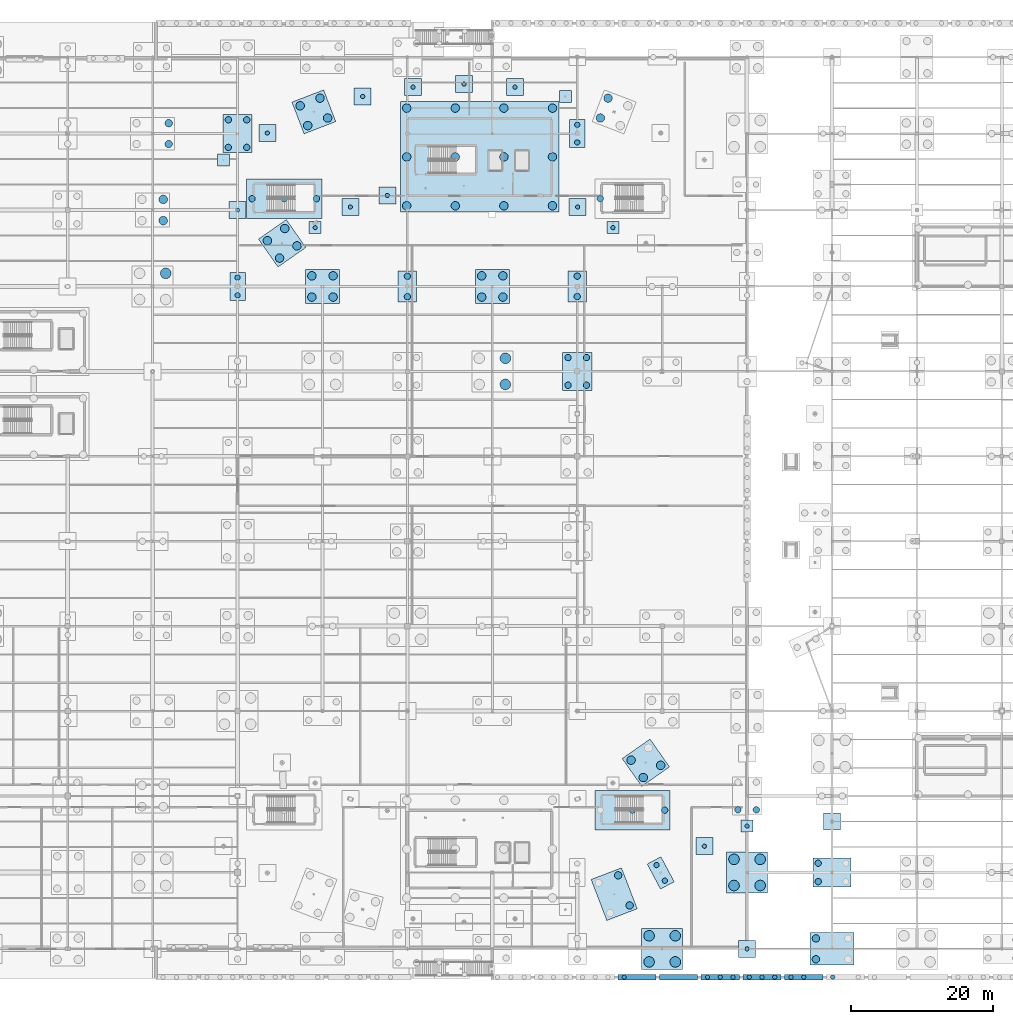
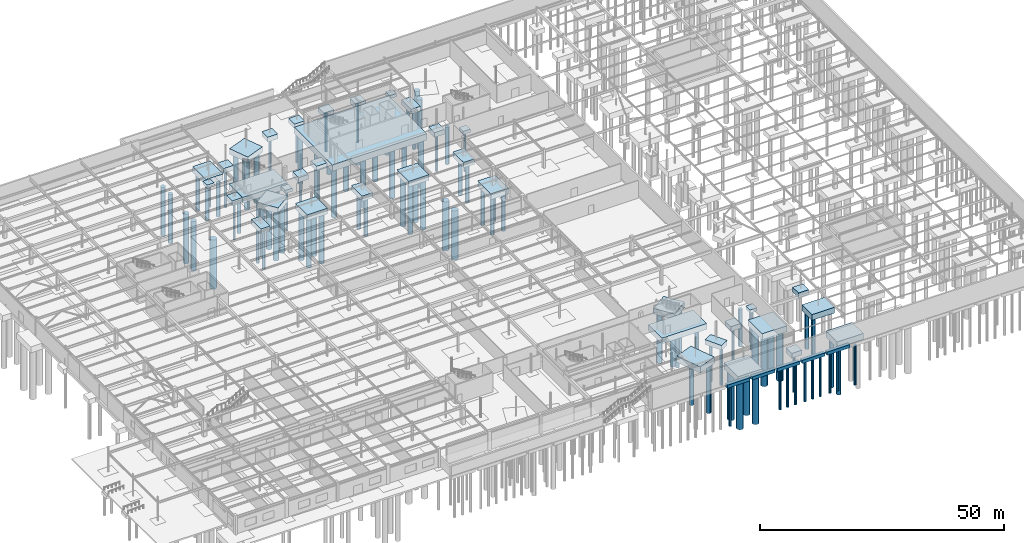
# One storey, part 5 of 136: 104 piles, 42 footings.
"""IFC4 building model written with IfcOpenShell, lengths in metres."""

from ifc_helpers import new_model, si_unit, direction, frame, origin, origin_2d, place, context, subcontext, project, spatial, rectangle, circle, extrude, material, material_profile, profile_set, type_object, element, save


model = new_model("IFC4")

# Units and contexts
model_context = context("Model", 3, precision=1e-05, world=origin(), true_north=direction((0.0, 1.0)))
body_context = subcontext(model_context, "Body", "Model", "MODEL_VIEW")
ifc_project = project(units=[si_unit("LENGTHUNIT", "METRE"), si_unit("AREAUNIT", "SQUARE_METRE"), si_unit("VOLUMEUNIT", "CUBIC_METRE"), si_unit("PLANEANGLEUNIT", "RADIAN"), si_unit("MASSUNIT", "GRAM", prefix="KILO")], contexts=[model_context])

# Site, building, storey
site_placement = place(None, origin())
site = spatial("IfcSite", under=ifc_project, at=site_placement, CompositionType="ELEMENT")
building_placement = place(site_placement, origin())
building = spatial("IfcBuilding", under=site, at=building_placement, Name="Tarnwether General Hospital", CompositionType="ELEMENT")
storey_placement = place(building_placement, frame((0.0, 0.0, -4.800048828125)))
storey = spatial("IfcBuildingStorey", under=building, at=storey_placement, Name="LG", CompositionType="ELEMENT", Elevation=-4.800048828125)

# Footings
ifc_material_1 = material(Name="Concrete 40 MPa", Category="concrete")
footing_type_1 = type_object("IfcFootingType", Name="FT-PC1", PredefinedType="PILE_CAP", material=ifc_material_1)
for number, where, z_axis, x_axis, name in (
    (1, (60.0, 104.39990234375, -1.19970703125), (0.0, 0.0, 1.0), (0.0, 1.0, 0.0), "Pile Cap FT-CAP-0076"),
    (2, (132.0, 0.0, -1.19970703125), (0.0, 0.0, 1.0), (0.0, 1.0, 0.0), "Pile Cap FT-CAP-0119"),
    (3, (64.20703125, 115.27001953125, -1.19970703125), (0.0, 0.0, 1.0), (1.0, 0.0, 0.0), "Pile Cap FT-CAP-0189"),
    (4, (75.945068359375, 104.823974609375, -1.19970703125), (0.0, 0.0, 1.0), (1.0, 0.0, 0.0), "Pile Cap FT-CAP-0193"),
    (5, (77.677978515625, 120.44189453125, -1.19970703125), (0.0, 0.0, 1.0), (1.0, 0.0, 0.0), "Pile Cap FT-CAP-0195"),
    (6, (81.162109375, 106.468994140625, -1.19970703125), (0.0, 0.0, 1.0), (1.0, 0.0, 0.0), "Pile Cap FT-CAP-0196"),
    (7, (84.784912109375, 121.759033203125, -1.19970703125), (0.0, 0.0, 1.0), (1.0, 0.0, 0.0), "Pile Cap FT-CAP-0197"),
    (8, (92.0, 122.199951171875, -1.19970703125), (0.0, 0.0, 1.0), (1.0, 0.0, 0.0), "Pile Cap FT-CAP-0198"),
    (9, (99.215087890625, 121.759033203125, -1.19970703125), (0.0, 0.0, 1.0), (1.0, 0.0, 0.0), "Pile Cap FT-CAP-0199"),
    (10, (108.054931640625, 104.823974609375, -1.19970703125), (0.0, 0.0, 1.0), (1.0, 0.0, 0.0), "Pile Cap FT-CAP-0202"),
    (11, (125.9560546875, 14.506103515625, -1.19970703125), (0.0, 0.0, 1.0), (1.0, 0.0, 0.0), "Pile Cap FT-CAP-0225"),
    (12, (144.0, 18.0, -1.19970703125), (0.0, 0.0, 1.0), (1.0, 0.0, 0.0), "Pile Cap FT-CAP-0232"),
):
    element("IfcFooting", number, at=place(storey_placement, frame(where, z_axis=z_axis, x_axis=x_axis)), inside=storey, type_object=footing_type_1, Name=name, PredefinedType="PILE_CAP", context=body_context, shape_type="SweptSolid", body=[
        extrude(rectangle(XDim=2.39990234375, YDim=2.39990234375, at=origin_2d()), origin(), (0.0, 0.0, 1.0), 1.199951171875),
    ])
ifc_material_2 = material(Name="Concrete 40 MPa", Category="concrete")
footing_type_2 = type_object("IfcFootingType", Name="FT-PC2", PredefinedType="PILE_CAP", material=ifc_material_2)
for number, where, z_axis, x_axis, name in (
    (13, (60.0, 93.60009765625, -1.19970703125), (0.0, 0.0, 1.0), (0.0, 1.0, 0.0), "Pile Cap FT-CAP-0075"),
    (14, (108.0, 115.199951171875, -1.19970703125), (0.0, 0.0, 1.0), (0.0, 1.0, 0.0), "Pile Cap FT-CAP-0111"),
    (15, (119.79296875, 10.72998046875, -1.19970703125), (0.0, 0.0, 1.0), (-0.469471562786, 0.882947592859, 0.0), "Pile Cap FT-CAP-0223"),
):
    element("IfcFooting", number, at=place(storey_placement, frame(where, z_axis=z_axis, x_axis=x_axis)), inside=storey, type_object=footing_type_2, Name=name, PredefinedType="PILE_CAP", context=body_context, shape_type="SweptSolid", body=[
        extrude(rectangle(XDim=4.0, YDim=2.199951171875, at=origin_2d()), origin(), (0.0, 0.0, 1.0), 1.199951171875),
    ])
ifc_material_3 = material(Name="Concrete 40 MPa", Category="concrete")
footing_type_3 = type_object("IfcFootingType", Name="FT-PC3", PredefinedType="PILE_CAP", material=ifc_material_3)
for number, where, z_axis, x_axis, name in (
    (16, (84.0, 93.60009765625, -1.2998046875), (0.0, 0.0, 1.0), (0.0, 1.0, 0.0), "Pile Cap FT-CAP-0093"),
    (17, (108.0, 93.60009765625, -1.2998046875), (0.0, 0.0, 1.0), (0.0, 1.0, 0.0), "Pile Cap FT-CAP-0110"),
):
    element("IfcFooting", number, at=place(storey_placement, frame(where, z_axis=z_axis, x_axis=x_axis)), inside=storey, type_object=footing_type_3, Name=name, PredefinedType="PILE_CAP", context=body_context, shape_type="SweptSolid", body=[
        extrude(rectangle(XDim=4.39990234375, YDim=2.60009765625, at=origin_2d()), origin(), (0.0, 0.0, 1.0), 1.300048828125),
    ])
ifc_material_4 = material(Name="Concrete 40 MPa", Category="concrete")
footing_type_4 = type_object("IfcFootingType", Name="FT-PC4", PredefinedType="PILE_CAP", material=ifc_material_4)
for number, where, z_axis, x_axis, name in (
    (18, (72.0, 93.60009765625, -1.39990234375), (0.0, 0.0, 1.0), (1.0, 0.0, 0.0), "Pile Cap FT-CAP-0085"),
    (19, (96.0, 93.60009765625, -1.39990234375), (0.0, 0.0, 1.0), (1.0, 0.0, 0.0), "Pile Cap FT-CAP-0101"),
    (20, (66.303955078125, 99.697998046875, -1.39990234375), (0.0, 0.0, 1.0), (-0.573576436351, 0.819152044289, 0.0), "Pile Cap FT-CAP-0188"),
    (21, (70.784912109375, 118.26806640625, -1.39990234375), (0.0, 0.0, 1.0), (-0.358367949545, 0.933580426497, 0.0), "Pile Cap FT-CAP-0191"),
    (22, (117.696044921875, 26.302001953125, -1.39990234375), (0.0, 0.0, 1.0), (-0.573576436351, 0.819152044289, 0.0), "Pile Cap FT-CAP-0226"),
):
    element("IfcFooting", number, at=place(storey_placement, frame(where, z_axis=z_axis, x_axis=x_axis)), inside=storey, type_object=footing_type_4, Name=name, PredefinedType="PILE_CAP", context=body_context, shape_type="SweptSolid", body=[
        extrude(rectangle(XDim=4.800048828125, YDim=4.800048828125, at=origin_2d()), origin(), (0.0, 0.0, 1.0), 1.39990234375),
    ])
ifc_material_5 = material(Name="Concrete 40 MPa", Category="concrete")
footing_type_5 = type_object("IfcFootingType", Name="FT-PC5", PredefinedType="PILE_CAP", material=ifc_material_5)
for number, where, z_axis, x_axis, name in (
    (23, (120.0, 0.0, -1.5), (0.0, 0.0, 1.0), (1.0, 0.0, 0.0), "Pile Cap FT-CAP-0113"),
    (24, (132.0, 10.800048828125, -1.5), (0.0, 0.0, 1.0), (0.0, 1.0, 0.0), "Pile Cap FT-CAP-0120"),
):
    element("IfcFooting", number, at=place(storey_placement, frame(where, z_axis=z_axis, x_axis=x_axis)), inside=storey, type_object=footing_type_5, Name=name, PredefinedType="PILE_CAP", context=body_context, shape_type="SweptSolid", body=[
        extrude(rectangle(XDim=5.800048828125, YDim=5.800048828125, at=origin_2d()), origin(), (0.0, 0.0, 1.0), 1.5),
    ])
ifc_material_6 = material(Name="Concrete 40 MPa", Category="concrete")
footing_type_6 = type_object("IfcFootingType", Name="FT-PC6", PredefinedType="PILE_CAP", material=ifc_material_6)
for number, where, z_axis, x_axis, name in (
    (25, (60.0, 115.199951171875, -1.44970703125), (0.0, 0.0, 1.0), (0.0, 1.0, 0.0), "Pile Cap FT-CAP-0077"),
    (26, (108.0, 81.60009765625, -1.44970703125), (0.0, 0.0, 1.0), (0.0, 1.0, 0.0), "Pile Cap FT-CAP-0109"),
    (27, (144.0, 10.800048828125, -1.44970703125), (0.0, 0.0, 1.0), (1.0, 0.0, 0.0), "Pile Cap FT-CAP-0130"),
):
    element("IfcFooting", number, at=place(storey_placement, frame(where, z_axis=z_axis, x_axis=x_axis)), inside=storey, type_object=footing_type_6, Name=name, PredefinedType="PILE_CAP", context=body_context, shape_type="SweptSolid", body=[
        extrude(rectangle(XDim=5.39990234375, YDim=4.10009765625, at=origin_2d()), origin(), (0.0, 0.0, 1.0), 1.449951171875),
    ])
ifc_material_7 = material(Name="Concrete 40 MPa", Category="concrete")
footing_type_7 = type_object("IfcFootingType", Name="FT-PC7", PredefinedType="PILE_CAP", material=ifc_material_7)
for number, where, z_axis, x_axis, name in (
    (28, (144.0, 0.0, -1.5498046875), (0.0, 0.0, 1.0), (1.0, 0.0, 0.0), "Pile Cap FT-CAP-0129"),
    (29, (113.215087890625, 7.73193359375, -1.5498046875), (0.0, 0.0, 1.0), (-0.358367949545, 0.933580426497, 0.0), "Pile Cap FT-CAP-0221"),
):
    element("IfcFooting", number, at=place(storey_placement, frame(where, z_axis=z_axis, x_axis=x_axis)), inside=storey, type_object=footing_type_7, Name=name, PredefinedType="PILE_CAP", context=body_context, shape_type="SweptSolid", body=[
        extrude(rectangle(XDim=6.199951171875, YDim=4.60009765625, at=origin_2d()), origin(), (0.0, 0.0, 1.0), 1.550048828125),
    ])
ifc_material_8 = material(Name="Concrete 40 MPa", Category="concrete")
footing_type_8 = type_object("IfcFootingType", Name="FT-PC8", PredefinedType="PILE_CAP", material=ifc_material_8)
for number, where, z_axis, x_axis, name in (
    (30, (66.60009765625, 106.0, -1.44970703125), (0.0, 0.0, 1.0), (1.0, 0.0, 0.0), "Pile Cap FT-CAP-0007"),
    (31, (115.800048828125, 19.60009765625, -1.44970703125), (0.0, 0.0, 1.0), (1.0, 0.0, 0.0), "Pile Cap FT-CAP-0010"),
):
    element("IfcFooting", number, at=place(storey_placement, frame(where, z_axis=z_axis, x_axis=x_axis)), inside=storey, type_object=footing_type_8, Name=name, PredefinedType="PILE_CAP", context=body_context, shape_type="SweptSolid", body=[
        extrude(rectangle(XDim=10.60009765625, YDim=5.60009765625, at=origin_2d()), origin(), (0.0, 0.0, 1.0), 1.449951171875),
    ])
ifc_material_9 = material(Name="Concrete 40 MPa", Category="concrete")
footing_type_9 = type_object("IfcFootingType", Name="FT-PC9", PredefinedType="PILE_CAP", material=ifc_material_9)
footing_placement = place(storey_placement, frame((94.199951171875, 111.89990234375, -1.60009765625), z_axis=(0.0, 0.0, 1.0), x_axis=(1.0, 0.0, 0.0)))
element("IfcFooting", 32, at=footing_placement, inside=storey, type_object=footing_type_9, Name="Pile Cap FT-CAP-0001", PredefinedType="PILE_CAP", context=body_context, shape_type="SweptSolid", body=[
    extrude(rectangle(XDim=22.39990234375, YDim=15.60009765625, at=origin_2d()), origin(), (0.0, 0.0, 1.0), 1.60009765625),
])
ifc_material_10 = material(Name="Concrete 40 MPa", Category="concrete")
footing_type_10 = type_object("IfcFootingType", Name="FT-PF5", PredefinedType="PAD_FOOTING", material=ifc_material_10)
for number, where, z_axis, x_axis, name in (
    (33, (58.0439453125, 111.493896484375, -0.7998046875), (0.0, 0.0, 1.0), (1.0, 0.0, 0.0), "Column Bearing Pad FT-PAD-0187"),
    (34, (70.968017578125, 101.906005859375, -0.7998046875), (0.0, 0.0, 1.0), (1.0, 0.0, 0.0), "Column Bearing Pad FT-PAD-0190"),
    (35, (106.322021484375, 120.44189453125, -0.7998046875), (0.0, 0.0, 1.0), (1.0, 0.0, 0.0), "Column Bearing Pad FT-PAD-0200"),
    (36, (113.031982421875, 101.906005859375, -0.7998046875), (0.0, 0.0, 1.0), (1.0, 0.0, 0.0), "Column Bearing Pad FT-PAD-0205"),
    (37, (132.0, 17.35009765625, -0.7998046875), (0.0, 0.0, 1.0), (1.0, 0.0, 0.0), "Column Bearing Pad FT-PAD-0227"),
):
    element("IfcFooting", number, at=place(storey_placement, frame(where, z_axis=z_axis, x_axis=x_axis)), inside=storey, type_object=footing_type_10, Name=name, PredefinedType="PAD_FOOTING", context=body_context, shape_type="SweptSolid", body=[
        extrude(rectangle(XDim=1.699951171875, YDim=1.699951171875, at=origin_2d()), origin(), (0.0, 0.0, 1.0), 0.800048828125),
    ])
ifc_material_11 = material(Name="Concrete 40 MPa", Category="concrete")
footing_type_11 = type_object("IfcFootingType", Name="FT-SF1", PredefinedType="STRIP_FOOTING", material=ifc_material_11)
for number, where, z_axis, x_axis, name in (
    (38, (116.428955078125, -4.0, -0.7998046875), (0.0, 0.0, 1.0), (1.0, 0.0, 0.0), "Retaining Strip Footing FT-SF-0101"),
    (39, (122.323974609375, -4.0, -0.7998046875), (0.0, 0.0, 1.0), (1.0, 0.0, 0.0), "Retaining Strip Footing FT-SF-0102"),
    (40, (128.218017578125, -4.0, -0.7998046875), (0.0, 0.0, 1.0), (1.0, 0.0, 0.0), "Retaining Strip Footing FT-SF-0103"),
    (41, (134.112060546875, -4.0, -0.7998046875), (0.0, 0.0, 1.0), (1.0, 0.0, 0.0), "Retaining Strip Footing FT-SF-0104"),
    (42, (140.006103515625, -4.0, -0.7998046875), (0.0, 0.0, 1.0), (1.0, 0.0, 0.0), "Retaining Strip Footing FT-SF-0105"),
):
    element("IfcFooting", number, at=place(storey_placement, frame(where, z_axis=z_axis, x_axis=x_axis)), inside=storey, type_object=footing_type_11, Name=name, PredefinedType="STRIP_FOOTING", context=body_context, shape_type="SweptSolid", body=[
        extrude(rectangle(XDim=5.39404296875, YDim=0.800048828125, at=origin_2d()), origin(), (0.0, 0.0, 1.0), 0.800048828125),
    ])

# Piles
ifc_material_12 = material(Name="Concrete 40 MPa", Category="concrete")
ifc_material_profile_1 = material_profile(ifc_material_12, circle(Radius=0.52490234375, at=origin_2d()), Name="PILE-D1050")
ifc_profile_set_1 = profile_set([ifc_material_profile_1], Name="Concrete 40 MPa")
pile_type_1 = type_object("IfcPileType", Name="PL-1050", PredefinedType="BORED", material=ifc_profile_set_1)
for number, where, z_axis, x_axis, name in (
    (43, (50.27490234375, 113.72509765625, -1.449951171875), (0.0, 0.0, -1.0), (1.0, 0.0, 0.0), "Bored Pile PLG-LG-503_1137-0220"),
    (44, (50.27490234375, 116.675048828125, -1.449951171875), (0.0, 0.0, -1.0), (1.0, 0.0, 0.0), "Bored Pile PLG-LG-503_1167-0221"),
    (45, (141.72509765625, -1.47509765625, -1.449951171875), (0.0, 0.0, -1.0), (1.0, 0.0, 0.0), "Bored Pile PLG-LG-1417_-15-0413"),
    (46, (141.72509765625, 1.47509765625, -1.449951171875), (0.0, 0.0, -1.0), (1.0, 0.0, 0.0), "Bored Pile PLG-LG-1417_15-0414"),
    (47, (115.406982421875, 6.136962890625, -1.449951171875), (0.0, 0.0, -1.0), (1.0, 0.0, 0.0), "Bored Pile PLG-LG-1154_61-0597"),
    (48, (113.777099609375, 10.384033203125, -1.449951171875), (0.0, 0.0, -1.0), (1.0, 0.0, 0.0), "Bored Pile PLG-LG-1138_104-0599"),
):
    element("IfcPile", number, at=place(storey_placement, frame(where, z_axis=z_axis, x_axis=x_axis)), inside=storey, type_object=pile_type_1, Name=name, PredefinedType="BORED", context=body_context, shape_type="SweptSolid", body=[
        extrude(circle(Radius=0.52490234375, at=origin_2d()), origin(), (0.0, 0.0, 1.0), 12.25),
    ])
ifc_material_13 = material(Name="Concrete 40 MPa", Category="concrete")
ifc_material_profile_2 = material_profile(ifc_material_13, circle(Radius=0.60009765625, at=origin_2d()), Name="PILE-D1200")
ifc_profile_set_2 = profile_set([ifc_material_profile_2], Name="Concrete 40 MPa")
pile_type_2 = type_object("IfcPileType", Name="PL-1200", PredefinedType="BORED", material=ifc_profile_set_2)
for number, where, z_axis, x_axis, name in (
    (49, (83.89990234375, 105.0, -1.5), (0.0, 0.0, -1.0), (1.0, 0.0, 0.0), "Bored Pile PLG-LG-839_1050-0001"),
    (50, (83.89990234375, 111.89990234375, -1.5), (0.0, 0.0, -1.0), (1.0, 0.0, 0.0), "Bored Pile PLG-LG-839_1119-0002"),
    (51, (83.89990234375, 118.800048828125, -1.5), (0.0, 0.0, -1.0), (1.0, 0.0, 0.0), "Bored Pile PLG-LG-839_1188-0003"),
    (52, (90.76708984375, 105.0, -1.5), (0.0, 0.0, -1.0), (1.0, 0.0, 0.0), "Bored Pile PLG-LG-908_1050-0004"),
    (53, (90.76708984375, 111.89990234375, -1.5), (0.0, 0.0, -1.0), (1.0, 0.0, 0.0), "Bored Pile PLG-LG-908_1119-0005"),
    (54, (90.76708984375, 118.800048828125, -1.5), (0.0, 0.0, -1.0), (1.0, 0.0, 0.0), "Bored Pile PLG-LG-908_1188-0006"),
    (55, (97.633056640625, 105.0, -1.5), (0.0, 0.0, -1.0), (1.0, 0.0, 0.0), "Bored Pile PLG-LG-976_1050-0007"),
    (56, (97.633056640625, 111.89990234375, -1.5), (0.0, 0.0, -1.0), (1.0, 0.0, 0.0), "Bored Pile PLG-LG-976_1119-0008"),
    (57, (97.633056640625, 118.800048828125, -1.5), (0.0, 0.0, -1.0), (1.0, 0.0, 0.0), "Bored Pile PLG-LG-976_1188-0009"),
    (58, (104.5, 105.0, -1.5), (0.0, 0.0, -1.0), (1.0, 0.0, 0.0), "Bored Pile PLG-LG-1045_1050-0010"),
    (59, (104.5, 111.89990234375, -1.5), (0.0, 0.0, -1.0), (1.0, 0.0, 0.0), "Bored Pile PLG-LG-1045_1119-0011"),
    (60, (104.5, 118.800048828125, -1.5), (0.0, 0.0, -1.0), (1.0, 0.0, 0.0), "Bored Pile PLG-LG-1045_1188-0012"),
):
    element("IfcPile", number, at=place(storey_placement, frame(where, z_axis=z_axis, x_axis=x_axis)), inside=storey, type_object=pile_type_2, Name=name, PredefinedType="BORED", context=body_context, shape_type="SweptSolid", body=[
        extrude(circle(Radius=0.60009765625, at=origin_2d()), origin(), (0.0, 0.0, 1.0), 12.199951171875),
    ])
for number, where, z_axis, x_axis, name in (
    (61, (49.5, 102.89990234375, -1.300048828125), (0.0, 0.0, -1.0), (1.0, 0.0, 0.0), "Bored Pile PLG-LG-495_1029-0216"),
    (62, (49.5, 105.89990234375, -1.300048828125), (0.0, 0.0, -1.0), (1.0, 0.0, 0.0), "Bored Pile PLG-LG-495_1059-0217"),
    (63, (70.5, 92.10009765625, -1.300048828125), (0.0, 0.0, -1.0), (1.0, 0.0, 0.0), "Bored Pile PLG-LG-705_921-0277"),
    (64, (70.5, 95.10009765625, -1.300048828125), (0.0, 0.0, -1.0), (1.0, 0.0, 0.0), "Bored Pile PLG-LG-705_951-0278"),
    (65, (73.5, 92.10009765625, -1.300048828125), (0.0, 0.0, -1.0), (1.0, 0.0, 0.0), "Bored Pile PLG-LG-735_921-0279"),
    (66, (73.5, 95.10009765625, -1.300048828125), (0.0, 0.0, -1.0), (1.0, 0.0, 0.0), "Bored Pile PLG-LG-735_951-0280"),
    (67, (94.5, 92.10009765625, -1.300048828125), (0.0, 0.0, -1.0), (1.0, 0.0, 0.0), "Bored Pile PLG-LG-945_921-0329"),
    (68, (94.5, 95.10009765625, -1.300048828125), (0.0, 0.0, -1.0), (1.0, 0.0, 0.0), "Bored Pile PLG-LG-945_951-0330"),
    (69, (97.5, 92.10009765625, -1.300048828125), (0.0, 0.0, -1.0), (1.0, 0.0, 0.0), "Bored Pile PLG-LG-975_921-0331"),
    (70, (97.5, 95.10009765625, -1.300048828125), (0.0, 0.0, -1.0), (1.0, 0.0, 0.0), "Bored Pile PLG-LG-975_951-0332"),
    (71, (68.39306640625, 99.330078125, -1.300048828125), (0.0, 0.0, -1.0), (1.0, 0.0, 0.0), "Bored Pile PLG-LG-684_993-0555"),
    (72, (65.93603515625, 97.60888671875, -1.300048828125), (0.0, 0.0, -1.0), (1.0, 0.0, 0.0), "Bored Pile PLG-LG-659_976-0556"),
    (73, (66.672119140625, 101.787109375, -1.300048828125), (0.0, 0.0, -1.0), (1.0, 0.0, 0.0), "Bored Pile PLG-LG-667_1018-0557"),
    (74, (64.215087890625, 100.06591796875, -1.300048828125), (0.0, 0.0, -1.0), (1.0, 0.0, 0.0), "Bored Pile PLG-LG-642_1001-0558"),
    (75, (72.722900390625, 117.405029296875, -1.300048828125), (0.0, 0.0, -1.0), (1.0, 0.0, 0.0), "Bored Pile PLG-LG-727_1174-0561"),
    (76, (69.922119140625, 116.330078125, -1.300048828125), (0.0, 0.0, -1.0), (1.0, 0.0, 0.0), "Bored Pile PLG-LG-699_1163-0562"),
    (77, (71.64794921875, 120.2060546875, -1.300048828125), (0.0, 0.0, -1.0), (1.0, 0.0, 0.0), "Bored Pile PLG-LG-716_1202-0563"),
    (78, (68.846923828125, 119.131103515625, -1.300048828125), (0.0, 0.0, -1.0), (1.0, 0.0, 0.0), "Bored Pile PLG-LG-688_1191-0564"),
    (79, (111.277099609375, 117.405029296875, -1.300048828125), (0.0, 0.0, -1.0), (1.0, 0.0, 0.0), "Bored Pile PLG-LG-1113_1174-0572"),
    (80, (112.35205078125, 120.2060546875, -1.300048828125), (0.0, 0.0, -1.0), (1.0, 0.0, 0.0), "Bored Pile PLG-LG-1124_1202-0574"),
    (81, (119.784912109375, 25.93408203125, -1.300048828125), (0.0, 0.0, -1.0), (1.0, 0.0, 0.0), "Bored Pile PLG-LG-1198_259-0606"),
    (82, (117.327880859375, 24.212890625, -1.300048828125), (0.0, 0.0, -1.0), (1.0, 0.0, 0.0), "Bored Pile PLG-LG-1173_242-0607"),
    (83, (115.60693359375, 26.669921875, -1.300048828125), (0.0, 0.0, -1.0), (1.0, 0.0, 0.0), "Bored Pile PLG-LG-1156_267-0609"),
):
    element("IfcPile", number, at=place(storey_placement, frame(where, z_axis=z_axis, x_axis=x_axis)), inside=storey, type_object=pile_type_2, Name=name, PredefinedType="BORED", context=body_context, shape_type="SweptSolid", body=[
        extrude(circle(Radius=0.60009765625, at=origin_2d()), origin(), (0.0, 0.0, 1.0), 12.39990234375),
    ])
ifc_material_14 = material(Name="Concrete 40 MPa", Category="concrete")
ifc_material_profile_3 = material_profile(ifc_material_14, circle(Radius=0.75, at=origin_2d()), Name="PILE-D1500")
ifc_profile_set_3 = profile_set([ifc_material_profile_3], Name="Concrete 40 MPa")
pile_type_3 = type_object("IfcPileType", Name="PL-1500", PredefinedType="BORED", material=ifc_profile_set_3)
for number, where, z_axis, x_axis, name in (
    (84, (49.85009765625, 95.449951171875, -1.39990234375), (0.0, 0.0, -1.0), (1.0, 0.0, 0.0), "Bored Pile PLG-LG-498_954-0213"),
    (85, (97.85009765625, 79.75, -1.39990234375), (0.0, 0.0, -1.0), (1.0, 0.0, 0.0), "Bored Pile PLG-LG-978_798-0327"),
    (86, (97.85009765625, 83.449951171875, -1.39990234375), (0.0, 0.0, -1.0), (1.0, 0.0, 0.0), "Bored Pile PLG-LG-978_834-0328"),
    (87, (118.14990234375, -1.85009765625, -1.39990234375), (0.0, 0.0, -1.0), (1.0, 0.0, 0.0), "Bored Pile PLG-LG-1182_-18-0363"),
    (88, (118.14990234375, 1.85009765625, -1.39990234375), (0.0, 0.0, -1.0), (1.0, 0.0, 0.0), "Bored Pile PLG-LG-1182_18-0364"),
    (89, (121.85009765625, -1.85009765625, -1.39990234375), (0.0, 0.0, -1.0), (1.0, 0.0, 0.0), "Bored Pile PLG-LG-1218_-18-0365"),
    (90, (121.85009765625, 1.85009765625, -1.39990234375), (0.0, 0.0, -1.0), (1.0, 0.0, 0.0), "Bored Pile PLG-LG-1218_18-0366"),
    (91, (133.85009765625, 8.949951171875, -1.39990234375), (0.0, 0.0, -1.0), (1.0, 0.0, 0.0), "Bored Pile PLG-LG-1338_90-0384"),
    (92, (130.14990234375, 8.949951171875, -1.39990234375), (0.0, 0.0, -1.0), (1.0, 0.0, 0.0), "Bored Pile PLG-LG-1302_90-0385"),
    (93, (133.85009765625, 12.64990234375, -1.39990234375), (0.0, 0.0, -1.0), (1.0, 0.0, 0.0), "Bored Pile PLG-LG-1338_126-0386"),
    (94, (130.14990234375, 12.64990234375, -1.39990234375), (0.0, 0.0, -1.0), (1.0, 0.0, 0.0), "Bored Pile PLG-LG-1302_126-0387"),
):
    element("IfcPile", number, at=place(storey_placement, frame(where, z_axis=z_axis, x_axis=x_axis)), inside=storey, type_object=pile_type_3, Name=name, PredefinedType="BORED", context=body_context, shape_type="SweptSolid", body=[
        extrude(circle(Radius=0.75, at=origin_2d()), origin(), (0.0, 0.0, 1.0), 12.300048828125),
    ])
ifc_material_15 = material(Name="Concrete 40 MPa", Category="concrete")
ifc_material_profile_4 = material_profile(ifc_material_15, circle(Radius=0.300048828125, at=origin_2d()), Name="PILE-D600")
ifc_profile_set_4 = profile_set([ifc_material_profile_4], Name="Concrete 40 MPa")
pile_type_4 = type_object("IfcPileType", Name="PL-600", PredefinedType="BORED", material=ifc_profile_set_4)
for number, where, z_axis, x_axis, name in (
    (95, (60.0, 104.39990234375, -1.099853515625), (0.0, 0.0, -1.0), (1.0, 0.0, 0.0), "Bored Pile PLG-LG-600_1044-0251"),
    (96, (132.0, 0.0, -1.099853515625), (0.0, 0.0, -1.0), (1.0, 0.0, 0.0), "Bored Pile PLG-LG-1320_0-0383"),
    (97, (64.20703125, 115.27001953125, -1.099853515625), (0.0, 0.0, -1.0), (1.0, 0.0, 0.0), "Bored Pile PLG-LG-642_1153-0559"),
):
    element("IfcPile", number, at=place(storey_placement, frame(where, z_axis=z_axis, x_axis=x_axis)), inside=storey, type_object=pile_type_4, Name=name, PredefinedType="BORED", context=body_context, shape_type="SweptSolid", body=[
        extrude(circle(Radius=0.300048828125, at=origin_2d()), origin(), (0.0, 0.0, 1.0), 9.60009765625),
    ])
pile_1_placement = place(storey_placement, frame((70.968017578125, 101.906005859375, -0.699951171875), z_axis=(0.0, 0.0, -1.0), x_axis=(1.0, 0.0, 0.0)))
element("IfcPile", 98, at=pile_1_placement, inside=storey, type_object=pile_type_4, Name="Bored Pile PLG-LG-710_1019-0560", PredefinedType="BORED", context=body_context, shape_type="SweptSolid", body=[
    extrude(circle(Radius=0.300048828125, at=origin_2d()), origin(), (0.0, 0.0, 1.0), 10.0),
])
for number, where, z_axis, x_axis, name in (
    (99, (75.945068359375, 104.823974609375, -1.099853515625), (0.0, 0.0, -1.0), (1.0, 0.0, 0.0), "Bored Pile PLG-LG-759_1048-0565"),
    (100, (77.677978515625, 120.44189453125, -1.099853515625), (0.0, 0.0, -1.0), (1.0, 0.0, 0.0), "Bored Pile PLG-LG-777_1204-0566"),
    (101, (81.162109375, 106.468994140625, -1.099853515625), (0.0, 0.0, -1.0), (1.0, 0.0, 0.0), "Bored Pile PLG-LG-812_1065-0567"),
    (102, (84.784912109375, 121.759033203125, -1.099853515625), (0.0, 0.0, -1.0), (1.0, 0.0, 0.0), "Bored Pile PLG-LG-848_1218-0568"),
    (103, (92.0, 122.199951171875, -1.099853515625), (0.0, 0.0, -1.0), (1.0, 0.0, 0.0), "Bored Pile PLG-LG-920_1222-0569"),
    (104, (99.215087890625, 121.759033203125, -1.099853515625), (0.0, 0.0, -1.0), (1.0, 0.0, 0.0), "Bored Pile PLG-LG-992_1218-0570"),
    (105, (108.054931640625, 104.823974609375, -1.099853515625), (0.0, 0.0, -1.0), (1.0, 0.0, 0.0), "Bored Pile PLG-LG-1081_1048-0575"),
):
    element("IfcPile", number, at=place(storey_placement, frame(where, z_axis=z_axis, x_axis=x_axis)), inside=storey, type_object=pile_type_4, Name=name, PredefinedType="BORED", context=body_context, shape_type="SweptSolid", body=[
        extrude(circle(Radius=0.300048828125, at=origin_2d()), origin(), (0.0, 0.0, 1.0), 9.60009765625),
    ])
pile_2_placement = place(storey_placement, frame((113.031982421875, 101.906005859375, -0.699951171875), z_axis=(0.0, 0.0, -1.0), x_axis=(1.0, 0.0, 0.0)))
element("IfcPile", 106, at=pile_2_placement, inside=storey, type_object=pile_type_4, Name="Bored Pile PLG-LG-1130_1019-0577", PredefinedType="BORED", context=body_context, shape_type="SweptSolid", body=[
    extrude(circle(Radius=0.300048828125, at=origin_2d()), origin(), (0.0, 0.0, 1.0), 10.0),
])
pile_3_placement = place(storey_placement, frame((125.9560546875, 14.506103515625, -1.099853515625), z_axis=(0.0, 0.0, -1.0), x_axis=(1.0, 0.0, 0.0)))
element("IfcPile", 107, at=pile_3_placement, inside=storey, type_object=pile_type_4, Name="Bored Pile PLG-LG-1260_145-0605", PredefinedType="BORED", context=body_context, shape_type="SweptSolid", body=[
    extrude(circle(Radius=0.300048828125, at=origin_2d()), origin(), (0.0, 0.0, 1.0), 9.60009765625),
])
for number, where, z_axis, x_axis, name in (
    (108, (132.0, 17.35009765625, -0.699951171875), (0.0, 0.0, -1.0), (1.0, 0.0, 0.0), "Bored Pile PLG-LG-1320_174-0610"),
    (109, (114.631103515625, -4.0, -0.699951171875), (0.0, 0.0, -1.0), (1.0, 0.0, 0.0), "Bored Pile PLG-LG-1146_-40-0785"),
    (110, (126.419921875, -4.0, -0.699951171875), (0.0, 0.0, -1.0), (1.0, 0.0, 0.0), "Bored Pile PLG-LG-1264_-40-0786"),
    (111, (128.218017578125, -4.0, -0.699951171875), (0.0, 0.0, -1.0), (1.0, 0.0, 0.0), "Bored Pile PLG-LG-1282_-40-0787"),
    (112, (130.01611328125, -4.0, -0.699951171875), (0.0, 0.0, -1.0), (1.0, 0.0, 0.0), "Bored Pile PLG-LG-1300_-40-0788"),
    (113, (132.31396484375, -4.0, -0.699951171875), (0.0, 0.0, -1.0), (1.0, 0.0, 0.0), "Bored Pile PLG-LG-1323_-40-0789"),
    (114, (134.112060546875, -4.0, -0.699951171875), (0.0, 0.0, -1.0), (1.0, 0.0, 0.0), "Bored Pile PLG-LG-1341_-40-0790"),
    (115, (135.909912109375, -4.0, -0.699951171875), (0.0, 0.0, -1.0), (1.0, 0.0, 0.0), "Bored Pile PLG-LG-1359_-40-0791"),
    (116, (138.2080078125, -4.0, -0.699951171875), (0.0, 0.0, -1.0), (1.0, 0.0, 0.0), "Bored Pile PLG-LG-1382_-40-0792"),
    (117, (140.006103515625, -4.0, -0.699951171875), (0.0, 0.0, -1.0), (1.0, 0.0, 0.0), "Bored Pile PLG-LG-1400_-40-0793"),
    (118, (144.10205078125, -4.0, -0.699951171875), (0.0, 0.0, -1.0), (1.0, 0.0, 0.0), "Bored Pile PLG-LG-1441_-40-0794"),
):
    element("IfcPile", number, at=place(storey_placement, frame(where, z_axis=z_axis, x_axis=x_axis)), inside=storey, type_object=pile_type_4, Name=name, PredefinedType="BORED", context=body_context, shape_type="SweptSolid", body=[
        extrude(circle(Radius=0.300048828125, at=origin_2d()), origin(), (0.0, 0.0, 1.0), 10.0),
    ])
ifc_material_16 = material(Name="Concrete 40 MPa", Category="concrete")
ifc_material_profile_5 = material_profile(ifc_material_16, circle(Radius=0.375, at=origin_2d()), Name="PILE-D750")
ifc_profile_set_5 = profile_set([ifc_material_profile_5], Name="Concrete 40 MPa")
pile_type_5 = type_object("IfcPileType", Name="PL-750", PredefinedType="BORED", material=ifc_profile_set_5)
for number, where, z_axis, x_axis, name in (
    (119, (60.0, 92.35009765625, -1.099853515625), (0.0, 0.0, -1.0), (1.0, 0.0, 0.0), "Bored Pile PLG-LG-600_924-0249"),
    (120, (60.0, 94.85009765625, -1.099853515625), (0.0, 0.0, -1.0), (1.0, 0.0, 0.0), "Bored Pile PLG-LG-600_948-0250"),
    (121, (108.0, 113.949951171875, -1.099853515625), (0.0, 0.0, -1.0), (1.0, 0.0, 0.0), "Bored Pile PLG-LG-1080_1140-0360"),
    (122, (108.0, 116.449951171875, -1.099853515625), (0.0, 0.0, -1.0), (1.0, 0.0, 0.0), "Bored Pile PLG-LG-1080_1164-0361"),
    (123, (120.3798828125, 9.6259765625, -1.099853515625), (0.0, 0.0, -1.0), (1.0, 0.0, 0.0), "Bored Pile PLG-LG-1204_96-0602"),
    (124, (119.2060546875, 11.833984375, -1.099853515625), (0.0, 0.0, -1.0), (1.0, 0.0, 0.0), "Bored Pile PLG-LG-1192_118-0603"),
):
    element("IfcPile", number, at=place(storey_placement, frame(where, z_axis=z_axis, x_axis=x_axis)), inside=storey, type_object=pile_type_5, Name=name, PredefinedType="BORED", context=body_context, shape_type="SweptSolid", body=[
        extrude(circle(Radius=0.375, at=origin_2d()), origin(), (0.0, 0.0, 1.0), 9.60009765625),
    ])
ifc_material_17 = material(Name="Concrete 40 MPa", Category="concrete")
ifc_material_profile_6 = material_profile(ifc_material_17, circle(Radius=0.449951171875, at=origin_2d()), Name="PILE-D900")
ifc_profile_set_6 = profile_set([ifc_material_profile_6], Name="Concrete 40 MPa")
pile_type_6 = type_object("IfcPileType", Name="PL-900", PredefinedType="BORED", material=ifc_profile_set_6)
for number, where, z_axis, x_axis, name in (
    (125, (62.050048828125, 106.0, -1.349853515625), (0.0, 0.0, -1.0), (1.0, 0.0, 0.0), "Bored Pile PLG-LG-620_1060-0049"),
    (126, (66.60009765625, 106.0, -1.349853515625), (0.0, 0.0, -1.0), (1.0, 0.0, 0.0), "Bored Pile PLG-LG-666_1060-0050"),
    (127, (71.14990234375, 106.0, -1.349853515625), (0.0, 0.0, -1.0), (1.0, 0.0, 0.0), "Bored Pile PLG-LG-712_1060-0051"),
    (128, (111.25, 106.0, -1.349853515625), (0.0, 0.0, -1.0), (1.0, 0.0, 0.0), "Bored Pile PLG-LG-1112_1060-0052"),
    (129, (115.800048828125, 19.60009765625, -1.349853515625), (0.0, 0.0, -1.0), (1.0, 0.0, 0.0), "Bored Pile PLG-LG-1158_196-0059"),
    (130, (120.35009765625, 19.60009765625, -1.349853515625), (0.0, 0.0, -1.0), (1.0, 0.0, 0.0), "Bored Pile PLG-LG-1204_196-0060"),
    (131, (61.300048828125, 113.25, -1.349853515625), (0.0, 0.0, -1.0), (1.0, 0.0, 0.0), "Bored Pile PLG-LG-613_1132-0252"),
    (132, (58.699951171875, 113.25, -1.349853515625), (0.0, 0.0, -1.0), (1.0, 0.0, 0.0), "Bored Pile PLG-LG-587_1132-0253"),
    (133, (61.300048828125, 117.14990234375, -1.349853515625), (0.0, 0.0, -1.0), (1.0, 0.0, 0.0), "Bored Pile PLG-LG-613_1172-0254"),
    (134, (58.699951171875, 117.14990234375, -1.349853515625), (0.0, 0.0, -1.0), (1.0, 0.0, 0.0), "Bored Pile PLG-LG-587_1172-0255"),
):
    element("IfcPile", number, at=place(storey_placement, frame(where, z_axis=z_axis, x_axis=x_axis)), inside=storey, type_object=pile_type_6, Name=name, PredefinedType="BORED", context=body_context, shape_type="SweptSolid", body=[
        extrude(circle(Radius=0.449951171875, at=origin_2d()), origin(), (0.0, 0.0, 1.0), 9.35009765625),
    ])
for number, where, z_axis, x_axis, name in (
    (135, (84.0, 92.14990234375, -1.199951171875), (0.0, 0.0, -1.0), (1.0, 0.0, 0.0), "Bored Pile PLG-LG-840_922-0306"),
    (136, (84.0, 95.050048828125, -1.199951171875), (0.0, 0.0, -1.0), (1.0, 0.0, 0.0), "Bored Pile PLG-LG-840_950-0307"),
):
    element("IfcPile", number, at=place(storey_placement, frame(where, z_axis=z_axis, x_axis=x_axis)), inside=storey, type_object=pile_type_6, Name=name, PredefinedType="BORED", context=body_context, shape_type="SweptSolid", body=[
        extrude(circle(Radius=0.449951171875, at=origin_2d()), origin(), (0.0, 0.0, 1.0), 9.5),
    ])
for number, where, z_axis, x_axis, name in (
    (137, (109.300048828125, 79.64990234375, -1.349853515625), (0.0, 0.0, -1.0), (1.0, 0.0, 0.0), "Bored Pile PLG-LG-1093_796-0354"),
    (138, (106.699951171875, 79.64990234375, -1.349853515625), (0.0, 0.0, -1.0), (1.0, 0.0, 0.0), "Bored Pile PLG-LG-1067_796-0355"),
    (139, (109.300048828125, 83.550048828125, -1.349853515625), (0.0, 0.0, -1.0), (1.0, 0.0, 0.0), "Bored Pile PLG-LG-1093_836-0356"),
    (140, (106.699951171875, 83.550048828125, -1.349853515625), (0.0, 0.0, -1.0), (1.0, 0.0, 0.0), "Bored Pile PLG-LG-1067_836-0357"),
):
    element("IfcPile", number, at=place(storey_placement, frame(where, z_axis=z_axis, x_axis=x_axis)), inside=storey, type_object=pile_type_6, Name=name, PredefinedType="BORED", context=body_context, shape_type="SweptSolid", body=[
        extrude(circle(Radius=0.449951171875, at=origin_2d()), origin(), (0.0, 0.0, 1.0), 9.35009765625),
    ])
for number, where, z_axis, x_axis, name in (
    (141, (108.0, 92.14990234375, -1.199951171875), (0.0, 0.0, -1.0), (1.0, 0.0, 0.0), "Bored Pile PLG-LG-1080_922-0358"),
    (142, (108.0, 95.050048828125, -1.199951171875), (0.0, 0.0, -1.0), (1.0, 0.0, 0.0), "Bored Pile PLG-LG-1080_950-0359"),
):
    element("IfcPile", number, at=place(storey_placement, frame(where, z_axis=z_axis, x_axis=x_axis)), inside=storey, type_object=pile_type_6, Name=name, PredefinedType="BORED", context=body_context, shape_type="SweptSolid", body=[
        extrude(circle(Radius=0.449951171875, at=origin_2d()), origin(), (0.0, 0.0, 1.0), 9.5),
    ])
for number, where, z_axis, x_axis, name in (
    (143, (133.300048828125, 19.64990234375, -1.349853515625), (0.0, 0.0, -1.0), (1.0, 0.0, 0.0), "Bored Pile PLG-LG-1333_196-0388"),
    (144, (130.699951171875, 19.64990234375, -1.349853515625), (0.0, 0.0, -1.0), (1.0, 0.0, 0.0), "Bored Pile PLG-LG-1307_196-0389"),
    (145, (142.050048828125, 9.5, -1.349853515625), (0.0, 0.0, -1.0), (1.0, 0.0, 0.0), "Bored Pile PLG-LG-1420_95-0417"),
    (146, (142.050048828125, 12.10009765625, -1.349853515625), (0.0, 0.0, -1.0), (1.0, 0.0, 0.0), "Bored Pile PLG-LG-1420_121-0418"),
):
    element("IfcPile", number, at=place(storey_placement, frame(where, z_axis=z_axis, x_axis=x_axis)), inside=storey, type_object=pile_type_6, Name=name, PredefinedType="BORED", context=body_context, shape_type="SweptSolid", body=[
        extrude(circle(Radius=0.449951171875, at=origin_2d()), origin(), (0.0, 0.0, 1.0), 9.35009765625),
    ])

save(model, "model.ifc")
